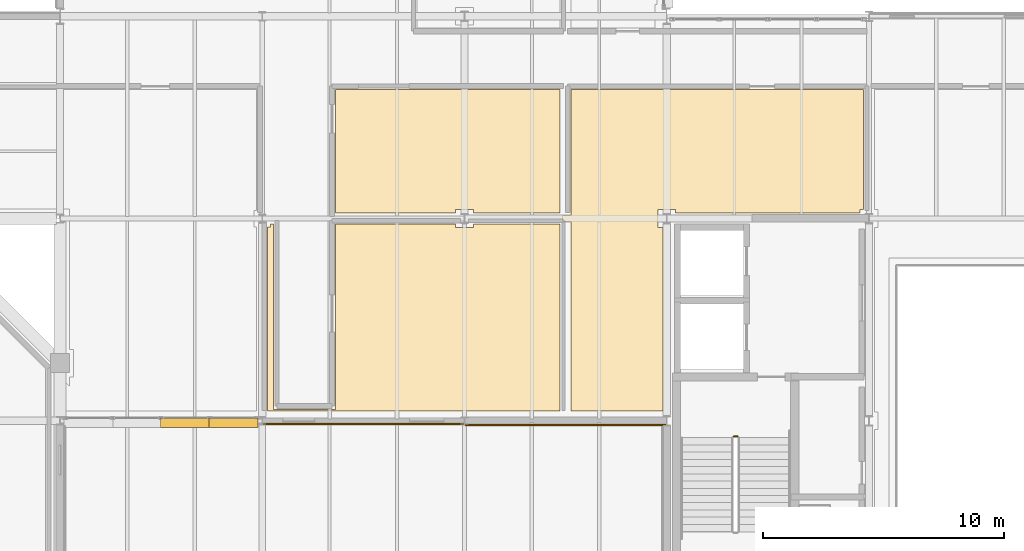
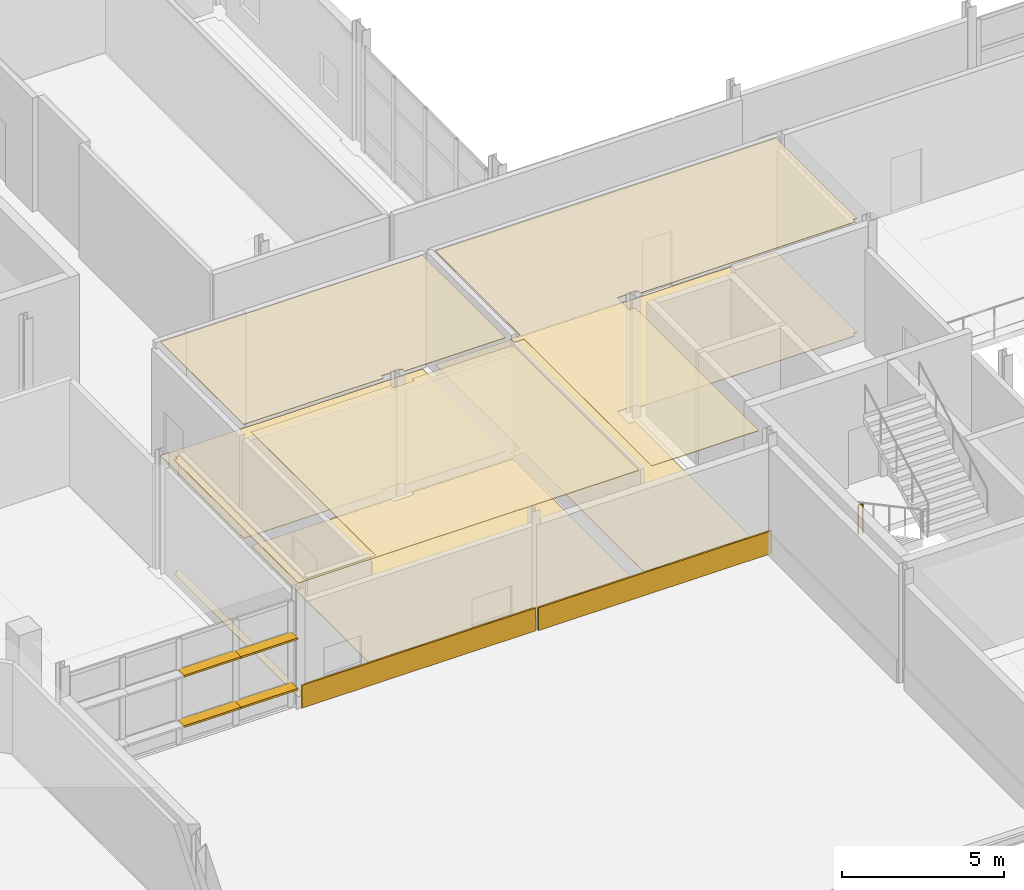
# One storey, part 110 of 129: 8 coverings, 4 shading devices, 1 railing.
"""IFC4 building model written with IfcOpenShell, lengths in metres."""

from ifc_helpers import new_model, si_unit, direction, frame, origin, origin_2d, place, context, subcontext, project, spatial, polyline, rectangle, circle, outline, extrude, material, layer, layer_set, type_object, element, save


model = new_model("IFC4")

# Units and contexts
model_context = context("Model", 3, precision=1e-05, world=origin(), true_north=direction((0.0, 1.0)))
body_context = subcontext(model_context, "Body", "Model", "MODEL_VIEW")
ifc_project = project(units=[si_unit("LENGTHUNIT", "METRE"), si_unit("AREAUNIT", "SQUARE_METRE"), si_unit("VOLUMEUNIT", "CUBIC_METRE"), si_unit("PLANEANGLEUNIT", "RADIAN"), si_unit("MASSUNIT", "GRAM", prefix="KILO")], contexts=[model_context])

# Site, building, storey
site_placement = place(None, origin())
site = spatial("IfcSite", under=ifc_project, at=site_placement, CompositionType="ELEMENT")
building_placement = place(site_placement, origin())
building = spatial("IfcBuilding", under=site, at=building_placement, Name="Mersafa Astral City Hall", CompositionType="ELEMENT")
storey_placement = place(building_placement, frame((0.0, 0.0, 5.39990234375)))
storey = spatial("IfcBuildingStorey", under=building, at=storey_placement, Name="L01", CompositionType="ELEMENT", Elevation=5.39990234375)

# Coverings
ifc_material_1 = material(Name="Cairo Mokattam buff limestone cladding", Category="masonry")
ifc_layer_1 = layer(ifc_material_1, 0.06005859375, Name="Cairo Mokattam buff limestone cladding")
ifc_layer_set_1 = layer_set([ifc_layer_1], Name="Cairo Mokattam buff limestone cladding — ENV-COV-LIMESTONE-60")
covering_type_1 = type_object("IfcCoveringType", Name="ENV-COV-LIMESTONE-60", PredefinedType="CLADDING", material=ifc_layer_set_1)
for number, where, z_axis, x_axis, name in (
    (1, (105.0, 16.660400390625, 0.0), (0.0, 0.0, 1.0), (1.0, 0.0, 0.0), "L01 Cairo buff limestone rainscreen cladding 71"),
    (2, (113.39990234375, 16.623046875, 0.0), (0.0, 0.0, 1.0), (1.0, 0.0, 0.0), "L01 Cairo buff limestone rainscreen cladding 72"),
):
    element("IfcCovering", number, at=place(storey_placement, frame(where, z_axis=z_axis, x_axis=x_axis)), inside=storey, type_object=covering_type_1, Name=name, PredefinedType="CLADDING", context=body_context, shape_type="SweptSolid", body=[
        extrude(rectangle(XDim=8.323974609375, YDim=0.06005859375, at=origin_2d()), origin(), (0.0, 0.0, 1.0), 0.860107421875),
    ])

# Shading devices
ifc_material_2 = material(Name="Kiln-dried cedar timber brise-soleil blade", Category="wood")
shading_device_type = type_object("IfcShadingDeviceType", Name="ENV-SHD-LOUVRE-380", PredefinedType="JALOUSIE", material=ifc_material_2)
shading_device_1_placement = place(storey_placement, frame((97.609619140625, 16.719970703125, 0.81494140625), z_axis=(0.0, 0.0, 1.0), x_axis=(1.0, 0.0, 0.0)))
element("IfcShadingDevice", 3, at=shading_device_1_placement, inside=storey, type_object=shading_device_type, Name="L01 Horizontal cedar brise-soleil louvre 295", PredefinedType="JALOUSIE", context=body_context, shape_type="SweptSolid", body=[
    extrude(rectangle(XDim=2.05908203125, YDim=0.3798828125, at=origin_2d()), origin(), (0.0, 0.0, 1.0), 0.070068359375),
])
shading_device_2_placement = place(storey_placement, frame((99.613525390625, 16.719970703125, 0.81494140625), z_axis=(0.0, 0.0, 1.0), x_axis=(1.0, 0.0, 0.0)))
element("IfcShadingDevice", 4, at=shading_device_2_placement, inside=storey, type_object=shading_device_type, Name="L01 Horizontal cedar brise-soleil louvre 296", PredefinedType="JALOUSIE", context=body_context, shape_type="SweptSolid", body=[
    extrude(rectangle(XDim=2.029052734375, YDim=0.3798828125, at=origin_2d()), origin(), (0.0, 0.0, 1.0), 0.070068359375),
])
shading_device_3_placement = place(storey_placement, frame((97.609619140625, 16.719970703125, 2.71484375), z_axis=(0.0, 0.0, 1.0), x_axis=(1.0, 0.0, 0.0)))
element("IfcShadingDevice", 5, at=shading_device_3_placement, inside=storey, type_object=shading_device_type, Name="L01 Horizontal cedar brise-soleil louvre 299", PredefinedType="JALOUSIE", context=body_context, shape_type="SweptSolid", body=[
    extrude(rectangle(XDim=2.05908203125, YDim=0.3798828125, at=origin_2d()), origin(), (0.0, 0.0, 1.0), 0.070068359375),
])
shading_device_4_placement = place(storey_placement, frame((99.613525390625, 16.719970703125, 2.71484375), z_axis=(0.0, 0.0, 1.0), x_axis=(1.0, 0.0, 0.0)))
element("IfcShadingDevice", 6, at=shading_device_4_placement, inside=storey, type_object=shading_device_type, Name="L01 Horizontal cedar brise-soleil louvre 300", PredefinedType="JALOUSIE", context=body_context, shape_type="SweptSolid", body=[
    extrude(rectangle(XDim=2.029052734375, YDim=0.3798828125, at=origin_2d()), origin(), (0.0, 0.0, 1.0), 0.070068359375),
])

# Railing
ifc_material_3 = material(Name="Painted architectural steel stair guard balustrade", Category="steel")
railing_type = type_object("IfcRailingType", Name="GUARD-RAIL", PredefinedType="BALUSTRADE", material=ifc_material_3)
railing_placement = place(storey_placement, frame((120.3798828125, 16.14990234375, 0.0)))
element("IfcRailing", 7, at=railing_placement, inside=storey, type_object=railing_type, Name="L01 ST5 stair guard 4", PredefinedType="BALUSTRADE", context=body_context, shape_type="SweptSolid", body=[
    extrude(circle(Radius=0.02392578125, at=origin_2d()), frame((0.0, 0.0, 1.09619140625), z_axis=(1.0, 0.0, 0.0), x_axis=(0.0, 1.0, 0.0)), (0.0, 0.0, 1.0), 0.16015625),
    extrude(circle(Radius=0.02099609375, at=origin_2d()), origin(), (0.0, 0.0, 1.0), 1.072021484375),
    extrude(circle(Radius=0.02099609375, at=origin_2d()), frame((0.16015625, 0.0, 0.0)), (0.0, 0.0, 1.0), 1.072021484375),
])

# Coverings
ifc_material_4 = material(Name="Perforated acoustic gypsum board ceiling", Category="gypsum")
ifc_layer_2 = layer(ifc_material_4, 0.02490234375, Name="Perforated acoustic gypsum board ceiling")
ifc_layer_set_2 = layer_set([ifc_layer_2], Name="Perforated acoustic gypsum board ceiling — INT-COV-CEIL-25")
covering_type_2 = type_object("IfcCoveringType", Name="INT-COV-CEIL-25", PredefinedType="CEILING", material=ifc_layer_set_2)
covering_1_placement = place(storey_placement, frame((0.0, 0.0, 4.281005859375)))
element("IfcCovering", 8, at=covering_1_placement, inside=storey, type_object=covering_type_2, Name="L01 Public Restroom L01-10 acoustic ceiling", PredefinedType="CEILING", context=body_context, shape_type="SweptSolid", body=[
    extrude(outline(polyline([(101.139892578125, 24.860107421875), (101.139892578125, 24.969970703125), (101.280029296875, 24.969970703125), (101.280029296875, 17.280029296875), (103.840087890625, 17.280029296875), (103.840087890625, 24.969970703125), (108.830078125, 24.969970703125), (108.830078125, 24.830078125), (109.570068359375, 24.830078125), (109.570068359375, 24.969970703125), (113.169921875, 24.969970703125), (113.169921875, 17.199951171875), (101.030029296875, 17.199951171875), (101.030029296875, 24.860107421875), (101.139892578125, 24.860107421875)])), origin(), (0.0, 0.0, 1.0), 0.025146484375),
])
covering_2_placement = place(storey_placement, frame((0.0, 0.0, 4.281005859375)))
element("IfcCovering", 9, at=covering_2_placement, inside=storey, type_object=covering_type_2, Name="L01 Civic Ombudsman Consultation Suite L01-14 acoustic ceiling", PredefinedType="CEILING", context=body_context, shape_type="SweptSolid", body=[
    extrude(outline(polyline([(113.280029296875, 25.320068359375), (113.6298828125, 25.320068359375), (113.6298828125, 30.56005859375), (125.77001953125, 30.56005859375), (125.77001953125, 25.570068359375), (125.6298828125, 25.570068359375), (125.6298828125, 25.429931640625), (117.969970703125, 25.429931640625), (117.969970703125, 25.570068359375), (117.22998046875, 25.570068359375), (117.22998046875, 24.830078125), (117.43994140625, 24.830078125), (117.43994140625, 17.199951171875), (113.6298828125, 17.199951171875), (113.6298828125, 25.080078125), (113.280029296875, 25.080078125), (113.280029296875, 25.320068359375)])), origin(), (0.0, 0.0, 1.0), 0.025146484375),
])
covering_3_placement = place(storey_placement, frame((0.0, 0.0, 4.281005859375)))
element("IfcCovering", 10, at=covering_3_placement, inside=storey, type_object=covering_type_2, Name="L01 Civic Translation & Hansard Studio L01-25 acoustic ceiling", PredefinedType="CEILING", context=body_context, shape_type="SweptSolid", body=[
    extrude(outline(polyline([(106.89990234375, 30.56005859375), (113.169921875, 30.56005859375), (113.169921875, 25.429931640625), (109.570068359375, 25.429931640625), (109.570068359375, 25.570068359375), (108.830078125, 25.570068359375), (108.830078125, 25.429931640625), (103.840087890625, 25.429931640625), (103.840087890625, 30.56005859375), (104.800048828125, 30.56005859375), (106.89990234375, 30.56005859375)])), origin(), (0.0, 0.0, 1.0), 0.025146484375),
])
ifc_material_5 = material(Name="Honed Cairo limestone terrazzo flooring", Category="masonry")
ifc_layer_3 = layer(ifc_material_5, 0.02001953125, Name="Honed Cairo limestone terrazzo flooring")
ifc_layer_set_3 = layer_set([ifc_layer_3], Name="Honed Cairo limestone terrazzo flooring — INT-COV-FLR-20")
covering_type_3 = type_object("IfcCoveringType", Name="INT-COV-FLR-20", PredefinedType="FLOORING", material=ifc_layer_set_3)
covering_4_placement = place(storey_placement, frame((0.0, 0.0, -0.00146484375)))
element("IfcCovering", 11, at=covering_4_placement, inside=storey, type_object=covering_type_3, Name="L01 Public Restroom L01-10 architectural flooring", PredefinedType="FLOORING", context=body_context, shape_type="SweptSolid", body=[
    extrude(outline(polyline([(101.139892578125, 24.860107421875), (101.139892578125, 24.969970703125), (101.280029296875, 24.969970703125), (101.280029296875, 17.280029296875), (103.840087890625, 17.280029296875), (103.840087890625, 24.969970703125), (108.830078125, 24.969970703125), (108.830078125, 24.830078125), (109.570068359375, 24.830078125), (109.570068359375, 24.969970703125), (113.169921875, 24.969970703125), (113.169921875, 17.199951171875), (101.030029296875, 17.199951171875), (101.030029296875, 24.860107421875), (101.139892578125, 24.860107421875)])), origin(), (0.0, 0.0, 1.0), 0.02001953125),
])
covering_5_placement = place(storey_placement, frame((0.0, 0.0, -0.00146484375)))
element("IfcCovering", 12, at=covering_5_placement, inside=storey, type_object=covering_type_3, Name="L01 Civic Ombudsman Consultation Suite L01-14 architectural flooring", PredefinedType="FLOORING", context=body_context, shape_type="SweptSolid", body=[
    extrude(outline(polyline([(113.280029296875, 25.320068359375), (113.6298828125, 25.320068359375), (113.6298828125, 30.56005859375), (125.77001953125, 30.56005859375), (125.77001953125, 25.570068359375), (125.6298828125, 25.570068359375), (125.6298828125, 25.429931640625), (117.969970703125, 25.429931640625), (117.969970703125, 25.570068359375), (117.22998046875, 25.570068359375), (117.22998046875, 24.830078125), (117.43994140625, 24.830078125), (117.43994140625, 17.199951171875), (113.6298828125, 17.199951171875), (113.6298828125, 25.080078125), (113.280029296875, 25.080078125), (113.280029296875, 25.320068359375)])), origin(), (0.0, 0.0, 1.0), 0.02001953125),
])
covering_6_placement = place(storey_placement, frame((0.0, 0.0, -0.00146484375)))
element("IfcCovering", 13, at=covering_6_placement, inside=storey, type_object=covering_type_3, Name="L01 Civic Translation & Hansard Studio L01-25 architectural flooring", PredefinedType="FLOORING", context=body_context, shape_type="SweptSolid", body=[
    extrude(outline(polyline([(106.89990234375, 30.56005859375), (113.169921875, 30.56005859375), (113.169921875, 25.429931640625), (109.570068359375, 25.429931640625), (109.570068359375, 25.570068359375), (108.830078125, 25.570068359375), (108.830078125, 25.429931640625), (103.840087890625, 25.429931640625), (103.840087890625, 30.56005859375), (104.800048828125, 30.56005859375), (106.89990234375, 30.56005859375)])), origin(), (0.0, 0.0, 1.0), 0.02001953125),
])

save(model, "model.ifc")
